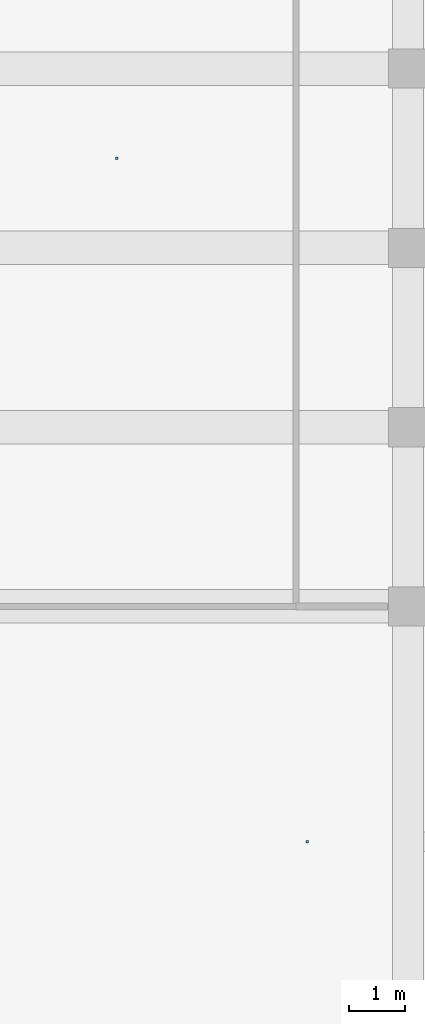
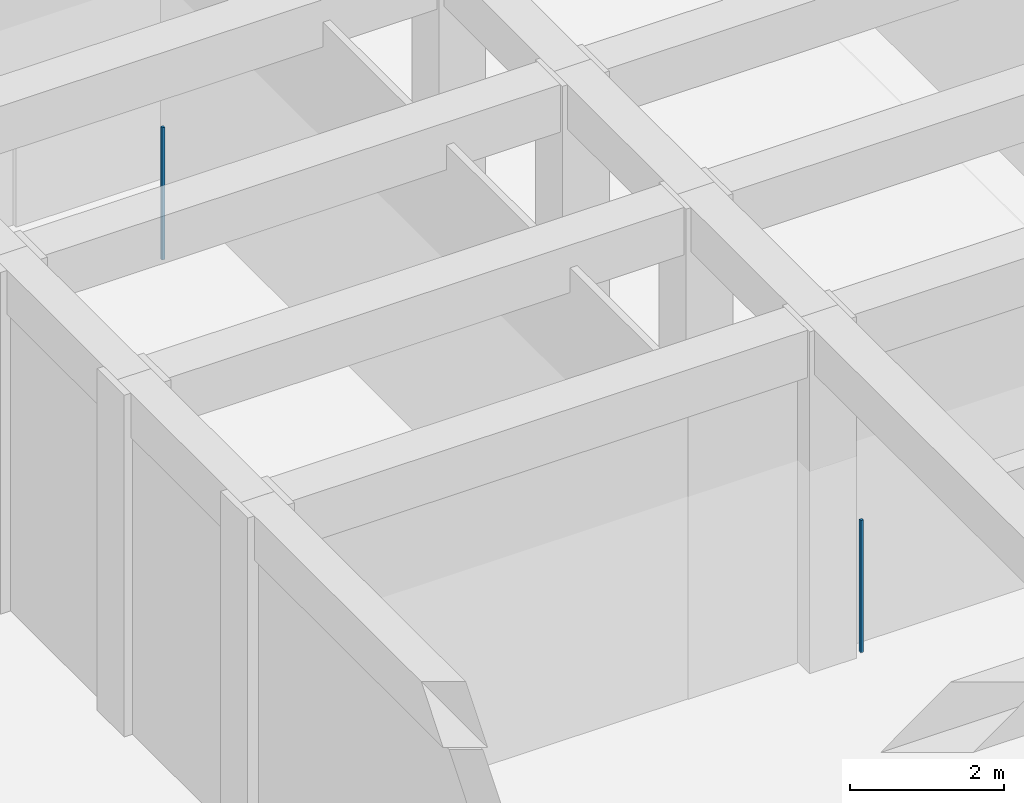
# One storey, part 99 of 167: 2 discrete accessories.
"""IFC4 building model written with IfcOpenShell, lengths in metres."""

from ifc_helpers import new_model, si_unit, direction, frame, origin, origin_2d, place, context, subcontext, project, spatial, rectangle, extrude, material, type_object, element, save


model = new_model("IFC4")

# Units and contexts
model_context = context("Model", 3, precision=1e-05, world=origin(), true_north=direction((0.0, 1.0)))
body_context = subcontext(model_context, "Body", "Model", "MODEL_VIEW")
ifc_project = project(units=[si_unit("LENGTHUNIT", "METRE"), si_unit("AREAUNIT", "SQUARE_METRE"), si_unit("VOLUMEUNIT", "CUBIC_METRE"), si_unit("PLANEANGLEUNIT", "RADIAN"), si_unit("MASSUNIT", "GRAM", prefix="KILO")], contexts=[model_context])

# Site, building, storey
site_placement = place(None, origin())
site = spatial("IfcSite", under=ifc_project, at=site_placement, CompositionType="ELEMENT")
building_placement = place(site_placement, origin())
building = spatial("IfcBuilding", under=site, at=building_placement, Name="Varncliffe General Hospital", CompositionType="ELEMENT")
storey_placement = place(building_placement, origin())
storey = spatial("IfcBuildingStorey", under=building, at=storey_placement, Name="L00", CompositionType="ELEMENT", Elevation=0.0)

# Discrete accessories
ifc_material = material(Name="Powder-coated hospital steel guardrail and handrail", Category="steel")
discrete_accessory_type = type_object("IfcDiscreteAccessoryType", Name="Suspended Ceiling Hanger Bracket CH01", PredefinedType="BRACKET", material=ifc_material)
for number, where, z_axis, x_axis, name in (
    (1, (3.199951171875, 107.60009765625, 3.18994140625), (0.0, 0.0, 1.0), (1.0, 0.0, 0.0), "L00 Suspended Ceiling Hanger 85"),
    (2, (6.60009765625, 95.39990234375, 3.18994140625), (0.0, 0.0, 1.0), (1.0, 0.0, 0.0), "L00 Suspended Ceiling Hanger 102"),
):
    element("IfcDiscreteAccessory", number, at=place(storey_placement, frame(where, z_axis=z_axis, x_axis=x_axis)), inside=storey, type_object=discrete_accessory_type, Name=name, PredefinedType="BRACKET", context=body_context, shape_type="SweptSolid", body=[
        extrude(rectangle(XDim=0.0400390625, YDim=0.0400390625, at=origin_2d()), origin(), (0.0, 0.0, 1.0), 2.090087890625),
    ])

save(model, "model.ifc")
